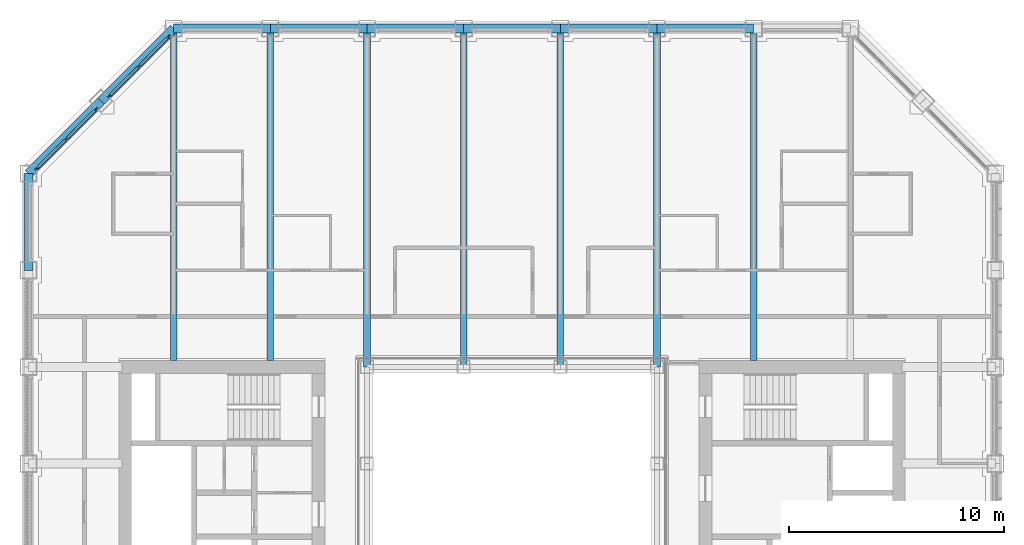
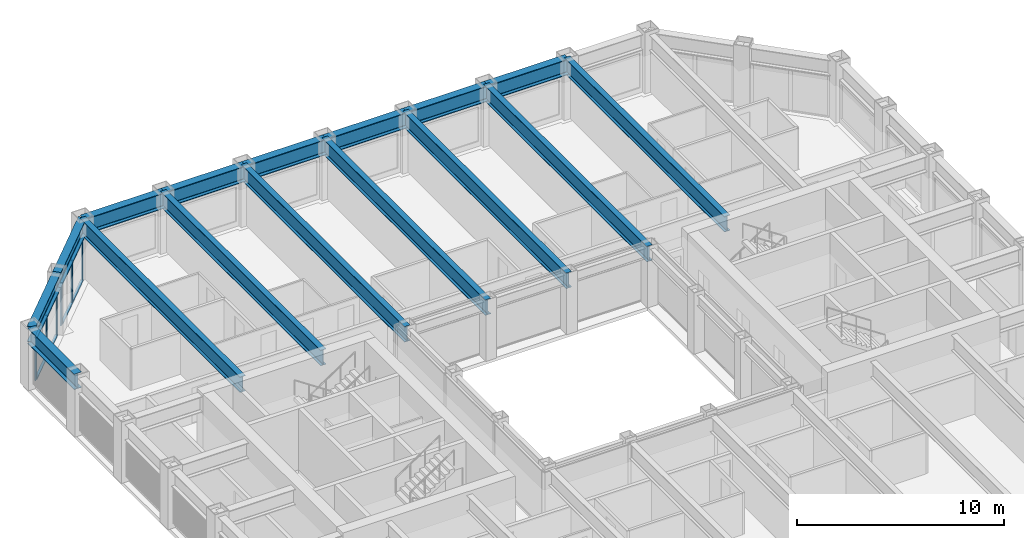
# One storey, part 7 of 18: 16 beams, 14 members, 2 elements without a shape of their own.
"""IFC4 building model written with IfcOpenShell, lengths in metres."""

from ifc_helpers import new_model, si_unit, direction, frame, origin, origin_2d, place, context, subcontext, project, spatial, rectangle, i_section, extrude, material, material_profile, profile_set, type_object, element, aggregate, save


model = new_model("IFC4")

# Units and contexts
model_context = context("Model", 3, precision=1e-05, world=origin(), true_north=direction((0.0, 1.0)))
body_context = subcontext(model_context, "Body", "Model", "MODEL_VIEW")
ifc_project = project(units=[si_unit("LENGTHUNIT", "METRE"), si_unit("AREAUNIT", "SQUARE_METRE"), si_unit("VOLUMEUNIT", "CUBIC_METRE"), si_unit("PLANEANGLEUNIT", "RADIAN"), si_unit("MASSUNIT", "GRAM", prefix="KILO")], contexts=[model_context])

# Site, building, storey
site_placement = place(None, origin())
site = spatial("IfcSite", under=ifc_project, at=site_placement, CompositionType="ELEMENT")
building_placement = place(site_placement, origin())
building = spatial("IfcBuilding", under=site, at=building_placement, Name="Msasa Ring Tower", CompositionType="ELEMENT")
storey_placement = place(building_placement, frame((0.0, 0.0, 183.199951171875)))
storey = spatial("IfcBuildingStorey", under=building, at=storey_placement, Name="L48", CompositionType="ELEMENT", Elevation=183.199951171875)

# Curtain wall, members
ifc_material_1 = material(Name="Aluminium curtain wall with clear glass", Category="aluminium")
curtain_wall_type = type_object("IfcCurtainWallType", Name="CW-C CHAMFER CORNER CURTAIN WALL", PredefinedType="NOTDEFINED", material=ifc_material_1)
curtain_wall_1_placement = place(storey_placement, origin())
curtain_wall_1 = element("IfcCurtainWall", 1, at=curtain_wall_1_placement, inside=storey, type_object=curtain_wall_type, Name="Chamfer corner curtain wall NW L48", PredefinedType="NOTDEFINED")
ifc_material_2 = material(Name="Aluminium mullion", Category="aluminium")
ifc_material_profile_1 = material_profile(ifc_material_2, rectangle(XDim=0.06494140625, YDim=0.179931640625, at=origin_2d()), Name="AL 65x180")
ifc_profile_set_1 = profile_set([ifc_material_profile_1], Name="Aluminium mullion")
member_type_1 = type_object("IfcMemberType", Name="CW-C MULLION 65x180", PredefinedType="MULLION", material=ifc_profile_set_1)
member_1_placement = place(storey_placement, frame((-19.36376953125, 18.744873046875, 0.0), z_axis=(0.0, 0.0, 1.0), x_axis=(0.707106781187, -0.707106781187, 0.0)))
member_1 = element("IfcMember", 2, at=member_1_placement, type_object=member_type_1, Name="CW-C mullion 1", PredefinedType="MULLION", context=body_context, shape_type="SweptSolid", body=[
    extrude(rectangle(XDim=0.06494140625, YDim=0.179931640625, at=origin_2d()), origin(), (0.0, 0.0, 1.0), 2.47900390625),
])
member_2_placement = place(storey_placement, frame((-20.74169921875, 17.36669921875, 0.0), z_axis=(0.0, 0.0, 1.0), x_axis=(0.707106781187, -0.707106781187, 0.0)))
member_2 = element("IfcMember", 3, at=member_2_placement, type_object=member_type_1, Name="CW-C mullion 2", PredefinedType="MULLION", context=body_context, shape_type="SweptSolid", body=[
    extrude(rectangle(XDim=0.06494140625, YDim=0.179931640625, at=origin_2d()), origin(), (0.0, 0.0, 1.0), 2.47900390625),
])
member_3_placement = place(storey_placement, frame((-22.119873046875, 15.98876953125, 0.0), z_axis=(0.0, 0.0, 1.0), x_axis=(0.707106781187, -0.707106781187, 0.0)))
member_3 = element("IfcMember", 4, at=member_3_placement, type_object=member_type_1, Name="CW-C mullion 3", PredefinedType="MULLION", context=body_context, shape_type="SweptSolid", body=[
    extrude(rectangle(XDim=0.06494140625, YDim=0.179931640625, at=origin_2d()), origin(), (0.0, 0.0, 1.0), 2.47900390625),
])

curtain_wall_2_placement = place(storey_placement, origin())
curtain_wall_2 = element("IfcCurtainWall", 5, at=curtain_wall_2_placement, inside=storey, type_object=curtain_wall_type, Name="Chamfer corner curtain wall NW L48", PredefinedType="NOTDEFINED")
member_4_placement = place(storey_placement, frame((-15.98876953125, 22.119873046875, 0.0), z_axis=(0.0, 0.0, 1.0), x_axis=(0.707106781187, -0.707106781187, 0.0)))
member_4 = element("IfcMember", 6, at=member_4_placement, type_object=member_type_1, Name="CW-C mullion 1", PredefinedType="MULLION", context=body_context, shape_type="SweptSolid", body=[
    extrude(rectangle(XDim=0.06494140625, YDim=0.179931640625, at=origin_2d()), origin(), (0.0, 0.0, 1.0), 2.47900390625),
])
member_5_placement = place(storey_placement, frame((-17.36669921875, 20.74169921875, 0.0), z_axis=(0.0, 0.0, 1.0), x_axis=(0.707106781187, -0.707106781187, 0.0)))
member_5 = element("IfcMember", 7, at=member_5_placement, type_object=member_type_1, Name="CW-C mullion 2", PredefinedType="MULLION", context=body_context, shape_type="SweptSolid", body=[
    extrude(rectangle(XDim=0.06494140625, YDim=0.179931640625, at=origin_2d()), origin(), (0.0, 0.0, 1.0), 2.47900390625),
])
member_6_placement = place(storey_placement, frame((-18.744873046875, 19.36376953125, 0.0), z_axis=(0.0, 0.0, 1.0), x_axis=(0.707106781187, -0.707106781187, 0.0)))
member_6 = element("IfcMember", 8, at=member_6_placement, type_object=member_type_1, Name="CW-C mullion 3", PredefinedType="MULLION", context=body_context, shape_type="SweptSolid", body=[
    extrude(rectangle(XDim=0.06494140625, YDim=0.179931640625, at=origin_2d()), origin(), (0.0, 0.0, 1.0), 2.47900390625),
])

# Member
ifc_material_3 = material(Name="Aluminium transom", Category="aluminium")
ifc_material_profile_2 = material_profile(ifc_material_3, rectangle(XDim=0.139892578125, YDim=0.06494140625, at=origin_2d()), Name="AL 65x140")
ifc_profile_set_2 = profile_set([ifc_material_profile_2], Name="Aluminium transom")
member_type_2 = type_object("IfcMemberType", Name="CW-C TRANSOM 65x140", PredefinedType="USERDEFINED", material=ifc_profile_set_2)
member_7_placement = place(storey_placement, frame((-19.38671875, 18.721923828125, 0.032470703125), z_axis=(-0.707106781187, -0.707106781187, 0.0), x_axis=(0.707106781187, -0.707106781187, 0.0)))
member_7 = element("IfcMember", 9, at=member_7_placement, type_object=member_type_2, Name="CW-C transom 1.1", ObjectType="TRANSOM", PredefinedType="USERDEFINED", context=body_context, shape_type="SweptSolid", body=[
    extrude(rectangle(XDim=0.139892578125, YDim=0.06494140625, at=origin_2d()), origin(), (0.0, 0.0, 1.0), 1.8837890625),
])

member_8_placement = place(storey_placement, frame((-19.38671875, 18.721923828125, 2.446533203125), z_axis=(-0.707106781187, -0.707106781187, 0.0), x_axis=(0.707106781187, -0.707106781187, 0.0)))
member_8 = element("IfcMember", 10, at=member_8_placement, type_object=member_type_2, Name="CW-C transom 1.2", ObjectType="TRANSOM", PredefinedType="USERDEFINED", context=body_context, shape_type="SweptSolid", body=[
    extrude(rectangle(XDim=0.139892578125, YDim=0.06494140625, at=origin_2d()), origin(), (0.0, 0.0, 1.0), 1.8837890625),
])

member_9_placement = place(storey_placement, frame((-20.764892578125, 17.34375, 0.032470703125), z_axis=(-0.707106781187, -0.707106781187, 0.0), x_axis=(0.707106781187, -0.707106781187, 0.0)))
member_9 = element("IfcMember", 11, at=member_9_placement, type_object=member_type_2, Name="CW-C transom 2.1", ObjectType="TRANSOM", PredefinedType="USERDEFINED", context=body_context, shape_type="SweptSolid", body=[
    extrude(rectangle(XDim=0.139892578125, YDim=0.06494140625, at=origin_2d()), origin(), (0.0, 0.0, 1.0), 1.8837890625),
])

member_10_placement = place(storey_placement, frame((-20.764892578125, 17.34375, 2.446533203125), z_axis=(-0.707106781187, -0.707106781187, 0.0), x_axis=(0.707106781187, -0.707106781187, 0.0)))
member_10 = element("IfcMember", 12, at=member_10_placement, type_object=member_type_2, Name="CW-C transom 2.2", ObjectType="TRANSOM", PredefinedType="USERDEFINED", context=body_context, shape_type="SweptSolid", body=[
    extrude(rectangle(XDim=0.139892578125, YDim=0.06494140625, at=origin_2d()), origin(), (0.0, 0.0, 1.0), 1.8837890625),
])

aggregate(curtain_wall_1, [member_1, member_2, member_3, member_7, member_8, member_9, member_10])

member_11_placement = place(storey_placement, frame((-16.01171875, 22.096923828125, 0.032470703125), z_axis=(-0.707106781187, -0.707106781187, 0.0), x_axis=(0.707106781187, -0.707106781187, 0.0)))
member_11 = element("IfcMember", 13, at=member_11_placement, type_object=member_type_2, Name="CW-C transom 1.1", ObjectType="TRANSOM", PredefinedType="USERDEFINED", context=body_context, shape_type="SweptSolid", body=[
    extrude(rectangle(XDim=0.139892578125, YDim=0.06494140625, at=origin_2d()), origin(), (0.0, 0.0, 1.0), 1.8837890625),
])

member_12_placement = place(storey_placement, frame((-16.01171875, 22.096923828125, 2.446533203125), z_axis=(-0.707106781187, -0.707106781187, 0.0), x_axis=(0.707106781187, -0.707106781187, 0.0)))
member_12 = element("IfcMember", 14, at=member_12_placement, type_object=member_type_2, Name="CW-C transom 1.2", ObjectType="TRANSOM", PredefinedType="USERDEFINED", context=body_context, shape_type="SweptSolid", body=[
    extrude(rectangle(XDim=0.139892578125, YDim=0.06494140625, at=origin_2d()), origin(), (0.0, 0.0, 1.0), 1.8837890625),
])

member_13_placement = place(storey_placement, frame((-17.389892578125, 20.71875, 0.032470703125), z_axis=(-0.707106781187, -0.707106781187, 0.0), x_axis=(0.707106781187, -0.707106781187, 0.0)))
member_13 = element("IfcMember", 15, at=member_13_placement, type_object=member_type_2, Name="CW-C transom 2.1", ObjectType="TRANSOM", PredefinedType="USERDEFINED", context=body_context, shape_type="SweptSolid", body=[
    extrude(rectangle(XDim=0.139892578125, YDim=0.06494140625, at=origin_2d()), origin(), (0.0, 0.0, 1.0), 1.8837890625),
])

member_14_placement = place(storey_placement, frame((-17.389892578125, 20.71875, 2.446533203125), z_axis=(-0.707106781187, -0.707106781187, 0.0), x_axis=(0.707106781187, -0.707106781187, 0.0)))
member_14 = element("IfcMember", 16, at=member_14_placement, type_object=member_type_2, Name="CW-C transom 2.2", ObjectType="TRANSOM", PredefinedType="USERDEFINED", context=body_context, shape_type="SweptSolid", body=[
    extrude(rectangle(XDim=0.139892578125, YDim=0.06494140625, at=origin_2d()), origin(), (0.0, 0.0, 1.0), 1.8837890625),
])

aggregate(curtain_wall_2, [member_4, member_5, member_6, member_11, member_12, member_13, member_14])

# Beams
ifc_material_4 = material(Name="Steel S355", Category="steel")
ifc_material_profile_3 = material_profile(ifc_material_4, i_section(OverallWidth=0.3076171875, OverallDepth=0.926513671875, WebThickness=0.01953125, FlangeThickness=0.031982421875, FilletRadius=0.01904296875, at=origin_2d()), Name="UB 914x305x289")
ifc_profile_set_3 = profile_set([ifc_material_profile_3], Name="Steel S355")
beam_type_1 = type_object("IfcBeamType", Name="FB3 UB 914x305x289", PredefinedType="BEAM", material=ifc_profile_set_3)
for number, where, z_axis, x_axis, name in (
    (17, (-15.75, 22.5, 2.936767578125), (0.0, -1.0, 0.0), (1.0, 0.0, 0.0), "Floor beam N-15.75 under L49"),
    (18, (-11.25, 22.5, 2.936767578125), (0.0, -1.0, 0.0), (1.0, 0.0, 0.0), "Floor beam N-11.25 under L49"),
):
    element("IfcBeam", number, at=place(storey_placement, frame(where, z_axis=z_axis, x_axis=x_axis)), inside=storey, type_object=beam_type_1, Name=name, PredefinedType="BEAM", context=body_context, shape_type="SweptSolid", body=[
        extrude(i_section(OverallWidth=0.3076171875, OverallDepth=0.926513671875, WebThickness=0.01953125, FlangeThickness=0.031982421875, FilletRadius=0.01904296875, at=origin_2d()), origin(), (0.0, 0.0, 1.0), 15.449951171875),
    ])
for number, where, z_axis, x_axis, name in (
    (19, (-6.75, 22.5, 2.936767578125), (0.0, -1.0, 0.0), (1.0, 0.0, 0.0), "Floor beam N-6.75 under L49"),
    (20, (-2.25, 22.5, 2.936767578125), (0.0, -1.0, 0.0), (1.0, 0.0, 0.0), "Floor beam N-2.25 under L49"),
    (21, (2.25, 22.5, 2.936767578125), (0.0, -1.0, 0.0), (1.0, 0.0, 0.0), "Floor beam N+2.25 under L49"),
    (22, (6.75, 22.5, 2.936767578125), (0.0, -1.0, 0.0), (1.0, 0.0, 0.0), "Floor beam N+6.75 under L49"),
):
    element("IfcBeam", number, at=place(storey_placement, frame(where, z_axis=z_axis, x_axis=x_axis)), inside=storey, type_object=beam_type_1, Name=name, PredefinedType="BEAM", context=body_context, shape_type="SweptSolid", body=[
        extrude(i_section(OverallWidth=0.3076171875, OverallDepth=0.926513671875, WebThickness=0.01953125, FlangeThickness=0.031982421875, FilletRadius=0.01904296875, at=origin_2d()), origin(), (0.0, 0.0, 1.0), 15.75),
    ])
beam_1_placement = place(storey_placement, frame((11.25, 22.5, 2.936767578125), z_axis=(0.0, -1.0, 0.0), x_axis=(1.0, 0.0, 0.0)))
element("IfcBeam", 23, at=beam_1_placement, inside=storey, type_object=beam_type_1, Name="Floor beam N+11.25 under L49", PredefinedType="BEAM", context=body_context, shape_type="SweptSolid", body=[
    extrude(i_section(OverallWidth=0.3076171875, OverallDepth=0.926513671875, WebThickness=0.01953125, FlangeThickness=0.031982421875, FilletRadius=0.01904296875, at=origin_2d()), origin(), (0.0, 0.0, 1.0), 15.449951171875),
])
ifc_material_5 = material(Name="Steel S355", Category="steel")
ifc_material_profile_4 = material_profile(ifc_material_5, i_section(OverallWidth=0.42041015625, OverallDepth=0.9208984375, WebThickness=0.021484375, FlangeThickness=0.03662109375, FilletRadius=0.024169921875, at=origin_2d()), Name="UB 914x419x388")
ifc_profile_set_4 = profile_set([ifc_material_profile_4], Name="Steel S355")
beam_type_2 = type_object("IfcBeamType", Name="SB1 UB 914x419x388", PredefinedType="SPANDREL", material=ifc_profile_set_4)
for number, where, z_axis, x_axis, name in (
    (24, (11.25, 22.5, 2.939453125), (-1.0, 0.0, 0.0), (0.0, -1.0, 0.0), "Spandrel N+11.25 to N+6.75 under L49"),
    (25, (6.75, 22.5, 2.939453125), (-1.0, 0.0, 0.0), (0.0, -1.0, 0.0), "Spandrel N+6.75 to N+2.25 under L49"),
    (26, (2.25, 22.5, 2.939453125), (-1.0, 0.0, 0.0), (0.0, -1.0, 0.0), "Spandrel N+2.25 to N-2.25 under L49"),
    (27, (-2.25, 22.5, 2.939453125), (-1.0, 0.0, 0.0), (0.0, -1.0, 0.0), "Spandrel N-2.25 to N-6.75 under L49"),
    (28, (-6.75, 22.5, 2.939453125), (-1.0, 0.0, 0.0), (0.0, -1.0, 0.0), "Spandrel N-6.75 to N-11.25 under L49"),
    (29, (-11.25, 22.5, 2.939453125), (-1.0, 0.0, 0.0), (0.0, -1.0, 0.0), "Spandrel N-11.25 to N-15.75 under L49"),
):
    element("IfcBeam", number, at=place(storey_placement, frame(where, z_axis=z_axis, x_axis=x_axis)), inside=storey, type_object=beam_type_2, Name=name, PredefinedType="SPANDREL", context=body_context, shape_type="SweptSolid", body=[
        extrude(i_section(OverallWidth=0.42041015625, OverallDepth=0.9208984375, WebThickness=0.021484375, FlangeThickness=0.03662109375, FilletRadius=0.024169921875, at=origin_2d()), origin(), (0.0, 0.0, 1.0), 4.5),
    ])
for number, where, z_axis, x_axis, name in (
    (30, (-15.75, 22.5, 2.939453125), (-0.707106781187, -0.707106781187, 0.0), (0.707106781187, -0.707106781187, 0.0), "Spandrel N-15.75 to NW under L49"),
    (31, (-19.125, 19.125, 2.939453125), (-0.707106781187, -0.707106781187, 0.0), (0.707106781187, -0.707106781187, 0.0), "Spandrel NW to W+15.75 under L49"),
):
    element("IfcBeam", number, at=place(storey_placement, frame(where, z_axis=z_axis, x_axis=x_axis)), inside=storey, type_object=beam_type_2, Name=name, PredefinedType="SPANDREL", context=body_context, shape_type="SweptSolid", body=[
        extrude(i_section(OverallWidth=0.42041015625, OverallDepth=0.9208984375, WebThickness=0.021484375, FlangeThickness=0.03662109375, FilletRadius=0.024169921875, at=origin_2d()), origin(), (0.0, 0.0, 1.0), 4.77294921875),
    ])
beam_2_placement = place(storey_placement, frame((-22.5, 15.75, 2.939453125), z_axis=(0.0, -1.0, 0.0), x_axis=(1.0, 0.0, 0.0)))
element("IfcBeam", 32, at=beam_2_placement, inside=storey, type_object=beam_type_2, Name="Spandrel W+15.75 to W+11.25 under L49", PredefinedType="SPANDREL", context=body_context, shape_type="SweptSolid", body=[
    extrude(i_section(OverallWidth=0.42041015625, OverallDepth=0.9208984375, WebThickness=0.021484375, FlangeThickness=0.03662109375, FilletRadius=0.024169921875, at=origin_2d()), origin(), (0.0, 0.0, 1.0), 4.5),
])

save(model, "model.ifc")
